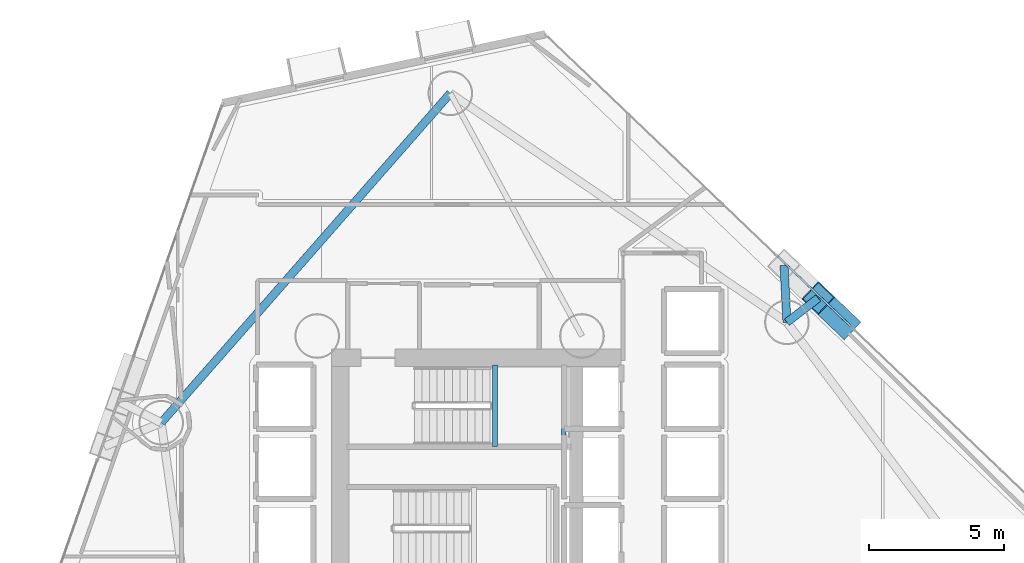
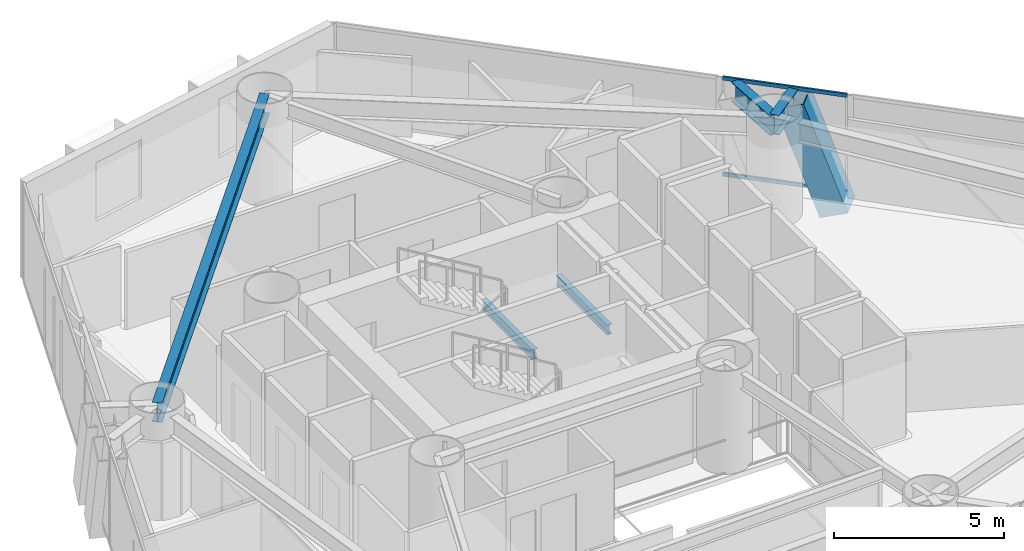
# One storey, part 9 of 23: 5 beams, 3 members, 1 element without a shape of its own.
"""IFC4 building model written with IfcOpenShell, lengths in metres."""

from ifc_helpers import new_model, si_unit, direction, frame, origin, origin_2d, place, context, subcontext, project, spatial, hollow_rectangle, i_section, extrude, material, layer, layer_set, material_profile, profile_set, type_object, element, aggregate, save


model = new_model("IFC4")

# Units and contexts
model_context = context("Model", 3, precision=1e-05, world=origin(), true_north=direction((0.0, 1.0)))
body_context = subcontext(model_context, "Body", "Model", "MODEL_VIEW")
ifc_project = project(units=[si_unit("LENGTHUNIT", "METRE"), si_unit("AREAUNIT", "SQUARE_METRE"), si_unit("VOLUMEUNIT", "CUBIC_METRE"), si_unit("PLANEANGLEUNIT", "RADIAN"), si_unit("MASSUNIT", "GRAM", prefix="KILO")], contexts=[model_context])

# Site, building, storey
site_placement = place(None, origin())
site = spatial("IfcSite", under=ifc_project, at=site_placement, CompositionType="ELEMENT")
building_placement = place(site_placement, origin())
building = spatial("IfcBuilding", under=site, at=building_placement, Name="Qianvela Tower", CompositionType="ELEMENT")
storey_placement = place(building_placement, frame((0.0, 0.0, 63.60009765625)))
storey = spatial("IfcBuildingStorey", under=building, at=storey_placement, Name="L15", CompositionType="ELEMENT", Elevation=63.60009765625)

# Beams
ifc_material_1 = material(Name="Steel Q355B", Category="steel")
ifc_material_profile_1 = material_profile(ifc_material_1, i_section(OverallWidth=0.175048828125, OverallDepth=0.35009765625, WebThickness=0.007080078125, FlangeThickness=0.010986328125, at=origin_2d()), Name="HN350x175x7x11")
ifc_profile_set_1 = profile_set([ifc_material_profile_1], Name="Steel Q355B")
beam_type_1 = type_object("IfcBeamType", Name="BM-HN350-JOIST", PredefinedType="JOIST", material=ifc_profile_set_1)
for number, where, z_axis, x_axis, name in (
    (1, (35.179931640625, 29.4599609375, 1.474853515625), (0.0, 1.0, 0.0), (-1.0, 0.0, 0.0), "L15 Stair ST-1 Landing Support Beam 1.1"),
    (2, (37.719970703125, 29.4599609375, 1.474853515625), (0.0, 1.0, 0.0), (-1.0, 0.0, 0.0), "L15 Stair ST-1 Landing Support Beam 1.2"),
):
    element("IfcBeam", number, at=place(storey_placement, frame(where, z_axis=z_axis, x_axis=x_axis)), inside=storey, type_object=beam_type_1, Name=name, PredefinedType="JOIST", context=body_context, shape_type="SweptSolid", body=[
        extrude(i_section(OverallWidth=0.175048828125, OverallDepth=0.35009765625, WebThickness=0.007080078125, FlangeThickness=0.010986328125, at=origin_2d()), origin(), (0.0, 0.0, 1.0), 3.02001953125),
    ])
ifc_material_2 = material(Name="Steel Q355B", Category="steel")
ifc_material_profile_2 = material_profile(ifc_material_2, i_section(OverallWidth=0.300048828125, OverallDepth=0.699951171875, WebThickness=0.012939453125, FlangeThickness=0.02392578125, at=origin_2d()), Name="HN700x300x13x24")
ifc_profile_set_2 = profile_set([ifc_material_profile_2], Name="Steel Q355B")
beam_type_2 = type_object("IfcBeamType", Name="BM-HN700-SPAND", PredefinedType="SPANDREL", material=ifc_profile_set_2)
beam_1_placement = place(storey_placement, frame((45.98388671875, 34.056884765625, 3.16796875), z_axis=(0.791823724122, 0.61074969498, 0.0), x_axis=(-0.61074969498, 0.791823724122, 0.0)))
element("IfcBeam", 3, at=beam_1_placement, inside=storey, type_object=beam_type_2, Name="L15 Mega-Brace Column Tie Bracket F1-1", PredefinedType="SPANDREL", context=body_context, shape_type="SweptSolid", body=[
    extrude(i_section(OverallWidth=0.300048828125, OverallDepth=0.699951171875, WebThickness=0.012939453125, FlangeThickness=0.02392578125, at=origin_2d()), origin(), (0.0, 0.0, 1.0), 1.46435546875),
])
beam_2_placement = place(storey_placement, frame((45.98388671875, 34.056884765625, 3.16796875), z_axis=(-0.050960026123, 0.99870069377, 0.0), x_axis=(-0.99870069377, -0.050960026123, 0.0)))
element("IfcBeam", 4, at=beam_2_placement, inside=storey, type_object=beam_type_2, Name="L15 Mega-Brace Column Tie Bracket F1-2", PredefinedType="SPANDREL", context=body_context, shape_type="SweptSolid", body=[
    extrude(i_section(OverallWidth=0.300048828125, OverallDepth=0.699951171875, WebThickness=0.012939453125, FlangeThickness=0.02392578125, at=origin_2d()), origin(), (0.0, 0.0, 1.0), 2.10791015625),
])
beam_3_placement = place(storey_placement, frame((33.52587890625, 42.529052734375, 3.16796875), z_axis=(-0.659601693124, -0.751615331422, 0.0), x_axis=(0.751615331422, -0.659601693124, 0.0)))
element("IfcBeam", 5, at=beam_3_placement, inside=storey, type_object=beam_type_2, Name="L15 Perimeter Ring Spandrel Girder 3", PredefinedType="SPANDREL", context=body_context, shape_type="SweptSolid", body=[
    extrude(i_section(OverallWidth=0.300048828125, OverallDepth=0.699951171875, WebThickness=0.012939453125, FlangeThickness=0.02392578125, at=origin_2d()), origin(), (0.0, 0.0, 1.0), 16.217041015625),
])

# Curtain wall, members
ifc_material_3 = material(Name="Anodised Architectural Aluminium and Insulated Spandrel Panel", Category="aluminium")
ifc_layer = layer(ifc_material_3, 0.179931640625)
ifc_layer_set = layer_set([ifc_layer], Name="Anodised Architectural Aluminium and Insulated Spandrel Panel")
curtain_wall_type = type_object("IfcCurtainWallType", Name="CW-BRACEBAY", PredefinedType="USERDEFINED", material=ifc_layer_set)
curtain_wall_placement = place(storey_placement, origin())
curtain_wall = element("IfcCurtainWall", 6, at=curtain_wall_placement, inside=storey, type_object=curtain_wall_type, Name="L15 CW-BRACEBAY Curtain Wall 02B", ObjectType="CURTAIN_WALL_SYSTEM", PredefinedType="USERDEFINED")
ifc_material_4 = material(Name="Anodised Architectural Aluminium 6063-T6", Category="aluminium")
ifc_material_profile_3 = material_profile(ifc_material_4, hollow_rectangle(XDim=0.06494140625, YDim=0.1298828125, WallThickness=0.00439453125, at=origin_2d()), Name="ALU-TRAN-65x130")
ifc_profile_set_3 = profile_set([ifc_material_profile_3], Name="Anodised Architectural Aluminium 6063-T6")
member_type_1 = type_object("IfcMemberType", Name="CW-BRACEBAY-TRAN", PredefinedType="USERDEFINED", material=ifc_profile_set_3)
member_1_placement = place(storey_placement, frame((48.367919921875, 33.890869140625, 0.032470703125), z_axis=(-0.72281717463, 0.691039312963, 0.0), x_axis=(-0.691039312963, -0.72281717463, 0.0)))
member_1 = element("IfcMember", 7, at=member_1_placement, type_object=member_type_1, Name="CW-9 transom 1.1", ObjectType="TRANSOM", PredefinedType="USERDEFINED", context=body_context, shape_type="SweptSolid", body=[
    extrude(hollow_rectangle(XDim=0.06494140625, YDim=0.1298828125, WallThickness=0.00439453125, at=origin_2d()), origin(), (0.0, 0.0, 1.0), 3.77978515625),
])
member_2_placement = place(storey_placement, frame((48.367919921875, 33.890869140625, 3.4873046875), z_axis=(-0.72281717463, 0.691039312963, 0.0), x_axis=(-0.691039312963, -0.72281717463, 0.0)))
member_2 = element("IfcMember", 8, at=member_2_placement, type_object=member_type_1, Name="CW-9 transom 1.2", ObjectType="TRANSOM", PredefinedType="USERDEFINED", context=body_context, shape_type="SweptSolid", body=[
    extrude(hollow_rectangle(XDim=0.06494140625, YDim=0.1298828125, WallThickness=0.00439453125, at=origin_2d()), origin(), (0.0, 0.0, 1.0), 3.77978515625),
])
aggregate(curtain_wall, [member_1, member_2])

# Member
ifc_material_5 = material(Name="Steel Q420GJC", Category="steel")
ifc_material_profile_4 = material_profile(ifc_material_5, hollow_rectangle(XDim=0.89990234375, YDim=0.89990234375, WallThickness=0.035888671875, at=origin_2d()), Name="MBOX-900x900x36")
ifc_profile_set_4 = profile_set([ifc_material_profile_4], Name="Steel Q420GJC")
member_type_2 = type_object("IfcMemberType", Name="MBR-MBRACE-900", PredefinedType="BRACE", material=ifc_profile_set_4)
member_3_placement = place(storey_placement, frame((48.109619140625, 34.027099609375, -0.531982421875), z_axis=(-0.245622549087, 0.234886646866, 0.940477446037), x_axis=(-0.691135577665, -0.722725129828, 0.0)))
element("IfcMember", 9, at=member_3_placement, inside=storey, type_object=member_type_2, Name="L15 Tier 2 Exterior Mega-Brace F1A", PredefinedType="BRACE", context=body_context, shape_type="SweptSolid", body=[
    extrude(hollow_rectangle(XDim=0.89990234375, YDim=0.89990234375, WallThickness=0.035888671875, at=origin_2d()), origin(), (0.0, 0.0, 1.0), 3.93408203125),
])

save(model, "model.ifc")
